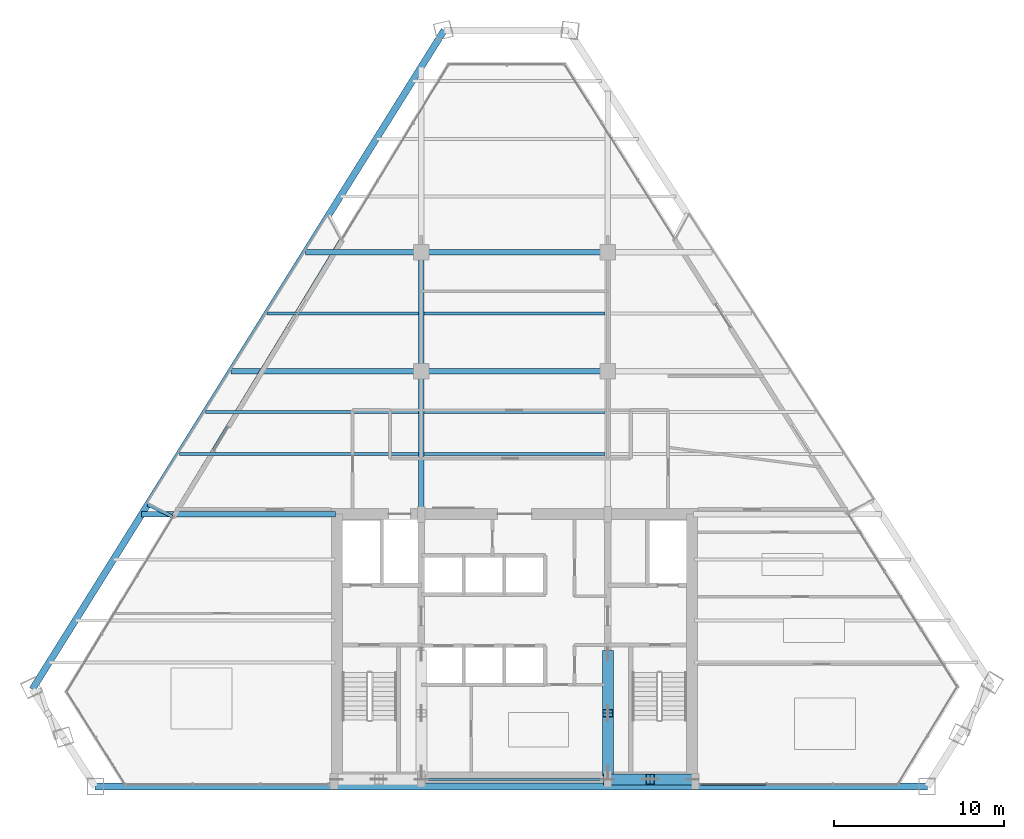
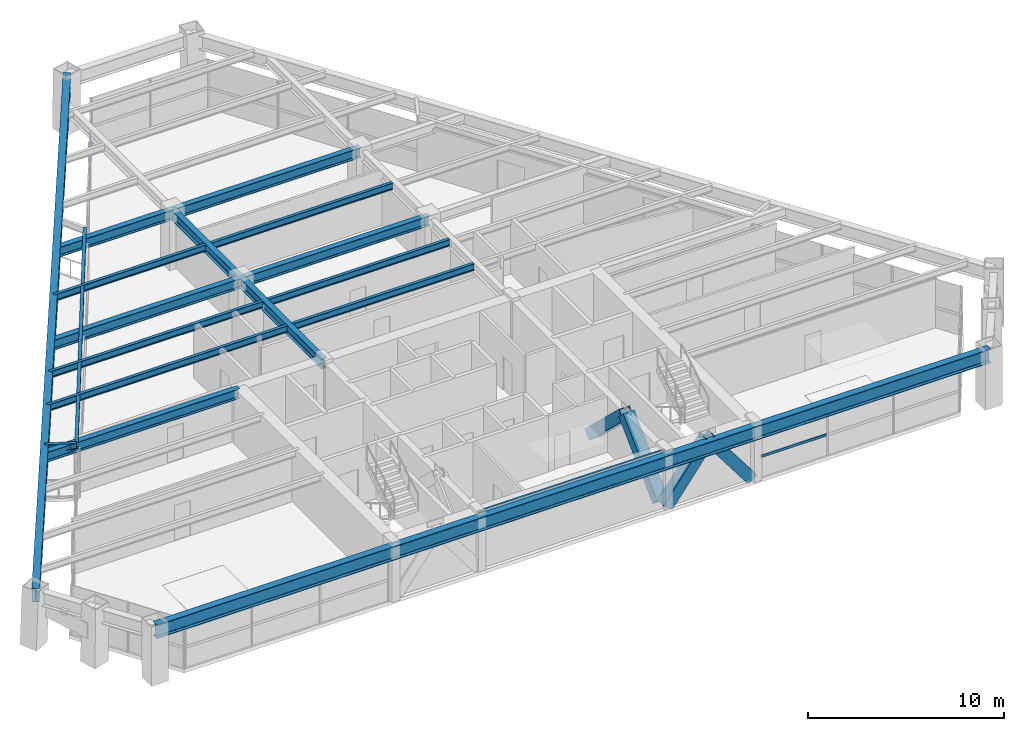
# One storey, part 3 of 13: 18 beams, 5 members, 1 element without a shape of its own.
"""IFC4 building model written with IfcOpenShell, lengths in metres."""

from ifc_helpers import new_model, si_unit, direction, frame, origin, origin_2d, place, context, subcontext, project, spatial, rectangle, hollow_rectangle, i_section, extrude, source, transform, mapped, material, material_profile, profile_set, type_object, type_shapes, element, aggregate, save


model = new_model("IFC4")

# Units and contexts
model_context = context("Model", 3, precision=1e-05, world=origin(), true_north=direction((0.0, 1.0)))
body_context = subcontext(model_context, "Body", "Model", "MODEL_VIEW")
ifc_project = project(units=[si_unit("LENGTHUNIT", "METRE"), si_unit("AREAUNIT", "SQUARE_METRE"), si_unit("VOLUMEUNIT", "CUBIC_METRE"), si_unit("PLANEANGLEUNIT", "RADIAN"), si_unit("MASSUNIT", "GRAM", prefix="KILO")], contexts=[model_context])

# Site, building, storey
site_placement = place(None, origin())
site = spatial("IfcSite", under=ifc_project, at=site_placement, CompositionType="ELEMENT")
building_placement = place(site_placement, origin())
building = spatial("IfcBuilding", under=site, at=building_placement, Name="Varnakhor Terracotta Tower", CompositionType="ELEMENT")
storey_placement = place(building_placement, frame((0.0, 0.0, 204.300048828125)))
storey = spatial("IfcBuildingStorey", under=building, at=storey_placement, Name="L52", CompositionType="ELEMENT", Elevation=204.300048828125)

# Beams
ifc_material_1 = material(Name="Steel S355", Category="steel")
ifc_material_profile_1 = material_profile(ifc_material_1, i_section(OverallWidth=0.1201171875, OverallDepth=0.239990234375, WebThickness=0.006103515625, FlangeThickness=0.009765625, FilletRadius=0.01806640625, at=origin_2d()), Name="IPE240")
ifc_profile_set_1 = profile_set([ifc_material_profile_1], Name="Steel S355")
beam_type_1 = type_object("IfcBeamType", Name="LNT-IPE240", PredefinedType="LINTEL", material=ifc_profile_set_1)
shared_shape_1 = source(origin(), body_context, "Body", "SweptSolid", [
    extrude(i_section(OverallWidth=0.1201171875, OverallDepth=0.239990234375, WebThickness=0.006103515625, FlangeThickness=0.009765625, FilletRadius=0.01806640625, at=origin_2d()), origin(), (0.0, 0.0, 1.0), 11.0),
])
type_shapes(beam_type_1, [shared_shape_1])
beam_1_placement = place(storey_placement, frame((-5.5, 0.419921875, 3.349853515625), z_axis=(1.0, 0.0, 0.0), x_axis=(0.0, 1.0, 0.0)))
element("IfcBeam", 1, at=beam_1_placement, inside=storey, type_object=beam_type_1, Name="L52 Core South Coupling Lintel", PredefinedType="LINTEL", context=body_context, shape_type="MappedRepresentation", body=[
    mapped(shared_shape_1, transform((0.0, 0.0, 0.0), scale=1.0)),
])
ifc_material_profile_2 = material_profile(ifc_material_1, i_section(OverallWidth=0.324951171875, OverallDepth=0.615966796875, WebThickness=0.013916015625, FlangeThickness=0.02197265625, FilletRadius=0.01806640625, at=origin_2d()), Name="W24X117")
ifc_profile_set_2 = profile_set([ifc_material_profile_2], Name="Steel S355")
beam_type_2 = type_object("IfcBeamType", Name="BM-W24X117", PredefinedType="BEAM", material=ifc_profile_set_2)
shared_shape_2 = source(origin(), body_context, "Body", "SweptSolid", [
    extrude(i_section(OverallWidth=0.324951171875, OverallDepth=0.615966796875, WebThickness=0.013916015625, FlangeThickness=0.02197265625, FilletRadius=0.01806640625, at=origin_2d()), origin(), (0.0, 0.0, 1.0), 8.449951171875),
])
type_shapes(beam_type_2, [shared_shape_2])
beam_2_placement = place(storey_placement, frame((-5.5, 16.050048828125, 3.161865234375), z_axis=(0.0, 1.0, 0.0), x_axis=(-1.0, 0.0, 0.0)))
element("IfcBeam", 2, at=beam_2_placement, inside=storey, type_object=beam_type_2, Name="L52 Primary Girder NS1-W", PredefinedType="BEAM", context=body_context, shape_type="MappedRepresentation", body=[
    mapped(shared_shape_2, transform((0.0, 0.0, 0.0), scale=1.0)),
])
shared_shape_3 = source(origin(), body_context, "Body", "SweptSolid", [
    extrude(i_section(OverallWidth=0.324951171875, OverallDepth=0.615966796875, WebThickness=0.013916015625, FlangeThickness=0.02197265625, FilletRadius=0.01806640625, at=origin_2d()), origin(), (0.0, 0.0, 1.0), 7.0),
])
beam_3_placement = place(storey_placement, frame((-5.5, 24.5, 3.161865234375), z_axis=(0.0, 1.0, 0.0), x_axis=(-1.0, 0.0, 0.0)))
element("IfcBeam", 3, at=beam_3_placement, inside=storey, type_object=beam_type_2, Name="L52 Primary Girder NS2-W", PredefinedType="BEAM", context=body_context, shape_type="MappedRepresentation", body=[
    mapped(shared_shape_3, transform((0.0, 0.0, 0.0), scale=1.0)),
])
shared_shape_4 = source(origin(), body_context, "Body", "SweptSolid", [
    extrude(i_section(OverallWidth=0.324951171875, OverallDepth=0.615966796875, WebThickness=0.013916015625, FlangeThickness=0.02197265625, FilletRadius=0.01806640625, at=origin_2d()), origin(), (0.0, 0.0, 1.0), 11.0),
])
for number, where, z_axis, x_axis, name in (
    (4, (-5.5, 24.5, 3.161865234375), (1.0, 0.0, 0.0), (0.0, 1.0, 0.0), "L52 Primary Girder EW2-2"),
    (5, (-5.5, 31.5, 3.161865234375), (1.0, 0.0, 0.0), (0.0, 1.0, 0.0), "L52 Primary Girder EW3-2"),
):
    element("IfcBeam", number, at=place(storey_placement, frame(where, z_axis=z_axis, x_axis=x_axis)), inside=storey, type_object=beam_type_2, Name=name, PredefinedType="BEAM", context=body_context, shape_type="MappedRepresentation", body=[
        mapped(shared_shape_4, transform((0.0, 0.0, 0.0), scale=1.0)),
    ])
ifc_material_profile_3 = material_profile(ifc_material_1, i_section(OverallWidth=0.179931640625, OverallDepth=0.4130859375, WebThickness=0.009765625, FlangeThickness=0.01611328125, FilletRadius=0.01806640625, at=origin_2d()), Name="W16X50")
ifc_profile_set_3 = profile_set([ifc_material_profile_3], Name="Steel S355")
beam_type_3 = type_object("IfcBeamType", Name="JST-W16X50", PredefinedType="JOIST", material=ifc_profile_set_3)
shared_shape_5 = source(origin(), body_context, "Body", "SweptSolid", [
    extrude(i_section(OverallWidth=0.179931640625, OverallDepth=0.4130859375, WebThickness=0.009765625, FlangeThickness=0.01611328125, FilletRadius=0.01806640625, at=origin_2d()), origin(), (0.0, 0.0, 1.0), 10.68310546875),
])
for number, where, z_axis, x_axis, name in (
    (6, (-5.341552734375, 19.60009765625, 3.263427734375), (1.0, 0.0, 0.0), (0.0, 1.0, 0.0), "L52 Composite Floor Joist 4-2"),
    (7, (-5.341552734375, 22.10009765625, 3.263427734375), (1.0, 0.0, 0.0), (0.0, 1.0, 0.0), "L52 Composite Floor Joist 5-2"),
    (8, (-5.341552734375, 27.89990234375, 3.263427734375), (1.0, 0.0, 0.0), (0.0, 1.0, 0.0), "L52 Composite Floor Joist 6-2"),
):
    element("IfcBeam", number, at=place(storey_placement, frame(where, z_axis=z_axis, x_axis=x_axis)), inside=storey, type_object=beam_type_3, Name=name, PredefinedType="JOIST", context=body_context, shape_type="MappedRepresentation", body=[
        mapped(shared_shape_5, transform((0.0, 0.0, 0.0), scale=1.0)),
    ])

# Members
ifc_material_2 = material(Name="Steel S460", Category="steel")
ifc_material_profile_4 = material_profile(ifc_material_2, hollow_rectangle(XDim=0.64990234375, YDim=0.64990234375, WallThickness=0.0400390625, at=origin_2d()), Name="HSS650X650X40")
ifc_profile_set_4 = profile_set([ifc_material_profile_4], Name="Steel S460")
member_type_1 = type_object("IfcMemberType", Name="MBR-MEGA-650", PredefinedType="BRACE", material=ifc_profile_set_4)
shared_shape_6 = source(origin(), body_context, "Body", "SweptSolid", [
    extrude(hollow_rectangle(XDim=0.64990234375, YDim=0.64990234375, WallThickness=0.0400390625, at=origin_2d()), origin(), (0.0, 0.0, 1.0), 4.805908203125),
])
member_1_placement = place(storey_placement, frame((5.5, 0.85009765625, 0.0), z_axis=(0.0, 0.723026776832, 0.69082000549), x_axis=(-1.0, 0.0, 0.0)))
element("IfcMember", 9, at=member_1_placement, inside=storey, type_object=member_type_1, Name="L52 Core Coupled Brace CWEA", PredefinedType="BRACE", context=body_context, shape_type="MappedRepresentation", body=[
    mapped(shared_shape_6, transform((0.0, 0.0, 0.0), scale=1.0)),
])
shared_shape_7 = source(origin(), body_context, "Body", "SweptSolid", [
    extrude(hollow_rectangle(XDim=0.64990234375, YDim=0.64990234375, WallThickness=0.0400390625, at=origin_2d()), origin(), (0.0, 0.0, 1.0), 4.156005859375),
])
for number, where, z_axis, x_axis, name in (
    (10, (5.5, 0.419921875, 0.0), (0.601530923869, 0.0, 0.798849515009), (0.0, 1.0, 0.0), "L52 Core Coupled Brace CSEA"),
    (11, (10.5, 0.419921875, 0.0), (-0.601530923869, 0.0, 0.798849515009), (0.0, -1.0, 0.0), "L52 Core Coupled Brace CSEB"),
):
    element("IfcMember", number, at=place(storey_placement, frame(where, z_axis=z_axis, x_axis=x_axis)), inside=storey, type_object=member_type_1, Name=name, PredefinedType="BRACE", context=body_context, shape_type="MappedRepresentation", body=[
        mapped(shared_shape_7, transform((0.0, 0.0, 0.0), scale=1.0)),
    ])
shared_shape_8 = source(origin(), body_context, "Body", "SweptSolid", [
    extrude(hollow_rectangle(XDim=0.64990234375, YDim=0.64990234375, WallThickness=0.0400390625, at=origin_2d()), origin(), (0.0, 0.0, 1.0), 4.80615234375),
])
member_2_placement = place(storey_placement, frame((5.5, 7.800048828125, 0.0), z_axis=(0.0, -0.723051018573, 0.690794632681), x_axis=(1.0, 0.0, 0.0)))
element("IfcMember", 12, at=member_2_placement, inside=storey, type_object=member_type_1, Name="L52 Core Coupled Brace CWEB", PredefinedType="BRACE", context=body_context, shape_type="MappedRepresentation", body=[
    mapped(shared_shape_8, transform((0.0, 0.0, 0.0), scale=1.0)),
])

# Beams
shared_shape_9 = source(origin(), body_context, "Body", "SweptSolid", [
    extrude(i_section(OverallWidth=0.324951171875, OverallDepth=0.615966796875, WebThickness=0.013916015625, FlangeThickness=0.02197265625, FilletRadius=0.01806640625, at=origin_2d()), origin(), (0.0, 0.0, 1.0), 11.4453125),
])
beam_4_placement = place(storey_placement, frame((-21.995361328125, 16.050048828125, 3.161865234375), z_axis=(1.0, 0.0, 0.0), x_axis=(0.0, 1.0, 0.0)))
element("IfcBeam", 13, at=beam_4_placement, inside=storey, type_object=beam_type_2, Name="L52 Wing Girder W", PredefinedType="BEAM", context=body_context, shape_type="MappedRepresentation", body=[
    mapped(shared_shape_9, transform((0.0, 0.0, 0.0), scale=1.0)),
])
ifc_material_profile_5 = material_profile(ifc_material_1, i_section(OverallWidth=0.39990234375, OverallDepth=0.85498046875, WebThickness=0.01806640625, FlangeThickness=0.029052734375, FilletRadius=0.01806640625, at=origin_2d()), Name="W33X201")
ifc_profile_set_5 = profile_set([ifc_material_profile_5], Name="Steel S355")
beam_type_4 = type_object("IfcBeamType", Name="BM-W33X201", PredefinedType="BEAM", material=ifc_profile_set_5)
shared_shape_10 = source(origin(), body_context, "Body", "SweptSolid", [
    extrude(i_section(OverallWidth=0.39990234375, OverallDepth=0.85498046875, WebThickness=0.01806640625, FlangeThickness=0.029052734375, FilletRadius=0.01806640625, at=origin_2d()), origin(), (0.0, 0.0, 1.0), 49.080322265625),
])
beam_5_placement = place(storey_placement, frame((-24.739013671875, 0.0, 3.04248046875), z_axis=(1.0, 0.0, 0.0), x_axis=(0.0, 1.0, 0.0)))
element("IfcBeam", 14, at=beam_5_placement, inside=storey, type_object=beam_type_4, Name="L52 Perimeter Spandrel 1", PredefinedType="BEAM", context=body_context, shape_type="MappedRepresentation", body=[
    mapped(shared_shape_10, transform((0.0, 0.0, 0.0), scale=1.0)),
])
shared_shape_11 = source(origin(), body_context, "Body", "SweptSolid", [
    extrude(i_section(OverallWidth=0.39990234375, OverallDepth=0.85498046875, WebThickness=0.01806640625, FlangeThickness=0.029052734375, FilletRadius=0.01806640625, at=origin_2d()), origin(), (0.0, 0.0, 1.0), 45.84326171875),
])
beam_6_placement = place(storey_placement, frame((-4.152099609375, 44.607421875, 3.04248046875), z_axis=(-0.529891228178, -0.848065614384, 0.0), x_axis=(0.848065614384, -0.529891228178, 0.0)))
element("IfcBeam", 15, at=beam_6_placement, inside=storey, type_object=beam_type_4, Name="L52 Perimeter Spandrel 6", PredefinedType="BEAM", context=body_context, shape_type="MappedRepresentation", body=[
    mapped(shared_shape_11, transform((0.0, 0.0, 0.0), scale=1.0)),
])
ifc_material_profile_6 = material_profile(ifc_material_1, i_section(OverallWidth=0.179931640625, OverallDepth=0.39990234375, WebThickness=0.008544921875, FlangeThickness=0.013427734375, FilletRadius=0.01806640625, at=origin_2d()), Name="IPE400")
ifc_profile_set_6 = profile_set([ifc_material_profile_6], Name="Steel S355")
beam_type_5 = type_object("IfcBeamType", Name="JST-IPE400", PredefinedType="JOIST", material=ifc_profile_set_6)
shared_shape_12 = source(origin(), body_context, "Body", "SweptSolid", [
    extrude(i_section(OverallWidth=0.179931640625, OverallDepth=0.39990234375, WebThickness=0.008544921875, FlangeThickness=0.013427734375, FilletRadius=0.01806640625, at=origin_2d()), origin(), (0.0, 0.0, 1.0), 19.157470703125),
])
beam_7_placement = place(storey_placement, frame((-10.226806640625, 32.2822265625, 3.27001953125), z_axis=(-0.518919271112, -0.854823250777, 0.0), x_axis=(0.854823250777, -0.518919271112, 0.0)))
element("IfcBeam", 16, at=beam_7_placement, inside=storey, type_object=beam_type_5, Name="L52 Loggia Edge Beam 2", PredefinedType="JOIST", context=body_context, shape_type="MappedRepresentation", body=[
    mapped(shared_shape_12, transform((0.0, 0.0, 0.0), scale=1.0)),
])
shared_shape_13 = source(origin(), body_context, "Body", "SweptSolid", [
    extrude(i_section(OverallWidth=0.324951171875, OverallDepth=0.615966796875, WebThickness=0.013916015625, FlangeThickness=0.02197265625, FilletRadius=0.01806640625, at=origin_2d()), origin(), (0.0, 0.0, 1.0), 11.2158203125),
])
beam_8_placement = place(storey_placement, frame((-16.7158203125, 24.5, 3.161865234375), z_axis=(1.0, 0.0, 0.0), x_axis=(0.0, 1.0, 0.0)))
element("IfcBeam", 17, at=beam_8_placement, inside=storey, type_object=beam_type_2, Name="L52 Primary Girder EW2-1", PredefinedType="BEAM", context=body_context, shape_type="MappedRepresentation", body=[
    mapped(shared_shape_13, transform((0.0, 0.0, 0.0), scale=1.0)),
])
shared_shape_14 = source(origin(), body_context, "Body", "SweptSolid", [
    extrude(i_section(OverallWidth=0.324951171875, OverallDepth=0.615966796875, WebThickness=0.013916015625, FlangeThickness=0.02197265625, FilletRadius=0.01806640625, at=origin_2d()), origin(), (0.0, 0.0, 1.0), 6.841796875),
])
beam_9_placement = place(storey_placement, frame((-12.341796875, 31.5, 3.161865234375), z_axis=(1.0, 0.0, 0.0), x_axis=(0.0, 1.0, 0.0)))
element("IfcBeam", 18, at=beam_9_placement, inside=storey, type_object=beam_type_2, Name="L52 Primary Girder EW3-1", PredefinedType="BEAM", context=body_context, shape_type="MappedRepresentation", body=[
    mapped(shared_shape_14, transform((0.0, 0.0, 0.0), scale=1.0)),
])
shared_shape_15 = source(origin(), body_context, "Body", "SweptSolid", [
    extrude(i_section(OverallWidth=0.179931640625, OverallDepth=0.4130859375, WebThickness=0.009765625, FlangeThickness=0.01611328125, FilletRadius=0.01806640625, at=origin_2d()), origin(), (0.0, 0.0, 1.0), 14.118896484375),
])
beam_10_placement = place(storey_placement, frame((-19.77734375, 19.60009765625, 3.263427734375), z_axis=(1.0, 0.0, 0.0), x_axis=(0.0, 1.0, 0.0)))
element("IfcBeam", 19, at=beam_10_placement, inside=storey, type_object=beam_type_3, Name="L52 Composite Floor Joist 4-1", PredefinedType="JOIST", context=body_context, shape_type="MappedRepresentation", body=[
    mapped(shared_shape_15, transform((0.0, 0.0, 0.0), scale=1.0)),
])
shared_shape_16 = source(origin(), body_context, "Body", "SweptSolid", [
    extrude(i_section(OverallWidth=0.179931640625, OverallDepth=0.4130859375, WebThickness=0.009765625, FlangeThickness=0.01611328125, FilletRadius=0.01806640625, at=origin_2d()), origin(), (0.0, 0.0, 1.0), 12.556884765625),
])
beam_11_placement = place(storey_placement, frame((-18.21533203125, 22.10009765625, 3.263427734375), z_axis=(1.0, 0.0, 0.0), x_axis=(0.0, 1.0, 0.0)))
element("IfcBeam", 20, at=beam_11_placement, inside=storey, type_object=beam_type_3, Name="L52 Composite Floor Joist 5-1", PredefinedType="JOIST", context=body_context, shape_type="MappedRepresentation", body=[
    mapped(shared_shape_16, transform((0.0, 0.0, 0.0), scale=1.0)),
])
shared_shape_17 = source(origin(), body_context, "Body", "SweptSolid", [
    extrude(i_section(OverallWidth=0.179931640625, OverallDepth=0.4130859375, WebThickness=0.009765625, FlangeThickness=0.01611328125, FilletRadius=0.01806640625, at=origin_2d()), origin(), (0.0, 0.0, 1.0), 8.932861328125),
])
beam_12_placement = place(storey_placement, frame((-14.59130859375, 27.89990234375, 3.263427734375), z_axis=(1.0, 0.0, 0.0), x_axis=(0.0, 1.0, 0.0)))
element("IfcBeam", 21, at=beam_12_placement, inside=storey, type_object=beam_type_3, Name="L52 Composite Floor Joist 6-1", PredefinedType="JOIST", context=body_context, shape_type="MappedRepresentation", body=[
    mapped(shared_shape_17, transform((0.0, 0.0, 0.0), scale=1.0)),
])

# Curtain wall, member
ifc_material_3 = material(Name="Anodised Aluminium Curtain Wall System", Category="aluminium")
curtain_wall_type = type_object("IfcCurtainWallType", Name="CW-SYS-MID-OFFICE", PredefinedType="NOTDEFINED", material=ifc_material_3)
curtain_wall_placement = place(storey_placement, origin())
curtain_wall = element("IfcCurtainWall", 22, at=curtain_wall_placement, inside=storey, type_object=curtain_wall_type, Name="L52 South Wing Curtain Wall SSE", PredefinedType="NOTDEFINED")
ifc_material_4 = material(Name="Anodised Aluminium 6063-T6", Category="aluminium")
ifc_material_profile_7 = material_profile(ifc_material_4, rectangle(XDim=0.070068359375, YDim=0.155029296875, at=origin_2d()), Name="ALU TRANSOM 70x155")
ifc_profile_set_7 = profile_set([ifc_material_profile_7], Name="Anodised Aluminium 6063-T6")
member_type_2 = type_object("IfcMemberType", Name="CWT-03", PredefinedType="USERDEFINED", material=ifc_profile_set_7)
shared_shape_18 = source(origin(), body_context, "Body", "SweptSolid", [
    extrude(rectangle(XDim=0.070068359375, YDim=0.155029296875, at=origin_2d()), origin(), (0.0, 0.0, 1.0), 3.894287109375),
])
member_3_placement = place(storey_placement, frame((14.8642578125, 0.1201171875, 1.281005859375), z_axis=(-1.0, 0.0, 0.0), x_axis=(0.0, -1.0, 0.0)))
member_3 = element("IfcMember", 23, at=member_3_placement, type_object=member_type_2, Name="L52 South Wing Curtain Wall SSE Transom 3", ObjectType="TRANSOM", PredefinedType="USERDEFINED", context=body_context, shape_type="MappedRepresentation", body=[
    mapped(shared_shape_18, transform((0.0, 0.0, 0.0), scale=1.0)),
])
aggregate(curtain_wall, [member_3])

# Beam
shared_shape_19 = source(origin(), body_context, "Body", "SweptSolid", [
    extrude(i_section(OverallWidth=0.179931640625, OverallDepth=0.39990234375, WebThickness=0.008544921875, FlangeThickness=0.013427734375, FilletRadius=0.01806640625, at=origin_2d()), origin(), (0.0, 0.0, 1.0), 1.635986328125),
])
beam_13_placement = place(storey_placement, frame((-20.16796875, 15.906005859375, 3.27001953125), z_axis=(-0.901215438105, 0.433371358215, 0.0), x_axis=(-0.433371358215, -0.901215438105, 0.0)))
element("IfcBeam", 24, at=beam_13_placement, inside=storey, type_object=beam_type_5, Name="L53 W Loggia Tie Beam 1", PredefinedType="JOIST", context=body_context, shape_type="MappedRepresentation", body=[
    mapped(shared_shape_19, transform((0.0, 0.0, 0.0), scale=1.0)),
])

save(model, "model.ifc")
